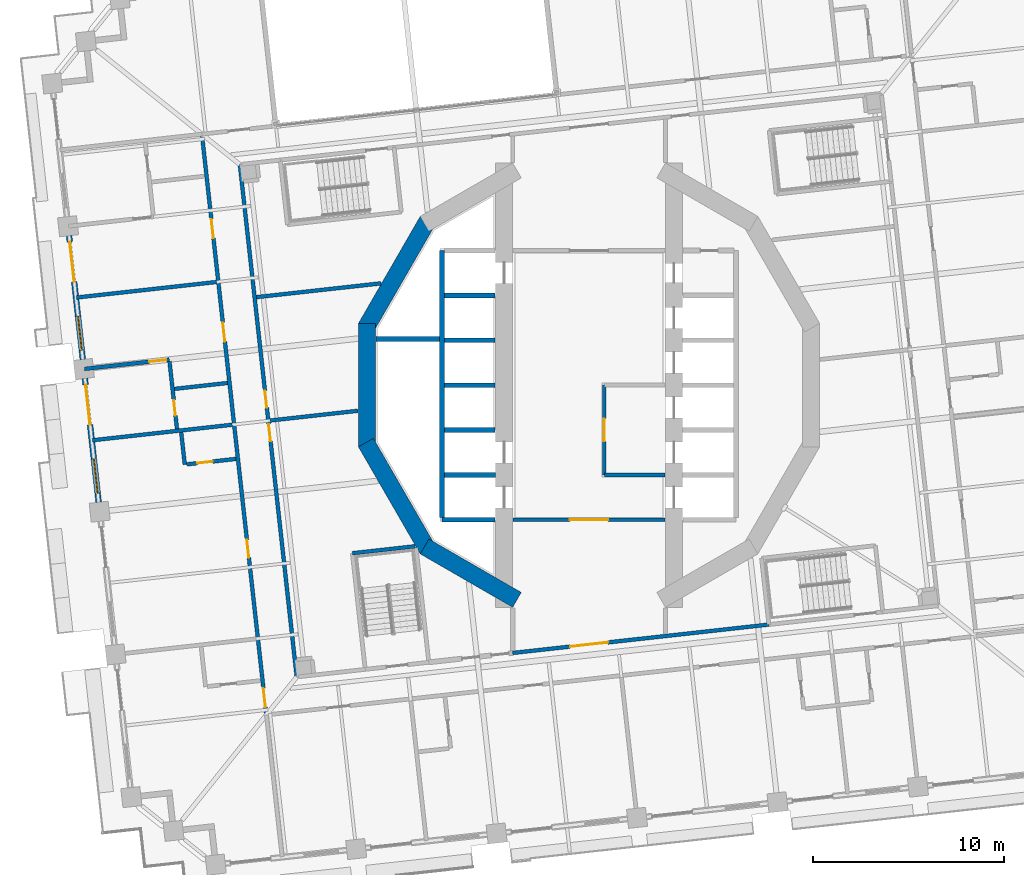
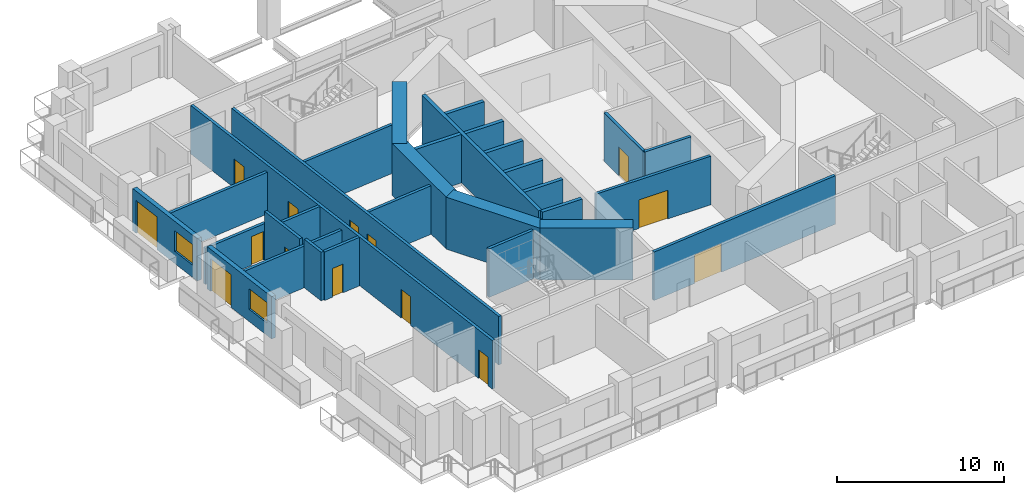
# One storey, part 8 of 21: 30 walls, 14 doors, 2 windows, 16 openings.
"""IFC4 building model written with IfcOpenShell, lengths in metres."""

from ifc_helpers import new_model, si_unit, direction, frame, frame_2d, origin, place, context, subcontext, project, spatial, rectangle, extrude, material, layer, layer_set, type_object, element, fill, save


model = new_model("IFC4")

# Units and contexts
model_context = context("Model", 3, precision=1e-05, world=origin(), true_north=direction((0.0, 1.0)))
body_context = subcontext(model_context, "Body", "Model", "MODEL_VIEW")
ifc_project = project(units=[si_unit("LENGTHUNIT", "METRE"), si_unit("AREAUNIT", "SQUARE_METRE"), si_unit("VOLUMEUNIT", "CUBIC_METRE"), si_unit("PLANEANGLEUNIT", "RADIAN"), si_unit("MASSUNIT", "GRAM", prefix="KILO")], contexts=[model_context])

# Site, building, storey
site_placement = place(None, origin())
site = spatial("IfcSite", under=ifc_project, at=site_placement, CompositionType="ELEMENT")
building_placement = place(site_placement, origin())
building = spatial("IfcBuilding", under=site, at=building_placement, Name="Cantera Rosa Tower", CompositionType="ELEMENT")
storey_placement = place(building_placement, frame((0.0, 0.0, 61.5)))
storey = spatial("IfcBuildingStorey", under=building, at=storey_placement, Name="L12", CompositionType="ELEMENT", Elevation=61.5)

# Wall, openings, doors
ifc_material_1 = material(Name="Gypsum board partition")
ifc_layer_1 = layer(ifc_material_1, 0.199951171875)
ifc_layer_set_1 = layer_set([ifc_layer_1], Name="CORRIDOR WALL 200 H3550")
wall_type_1 = type_object("IfcWallType", Name="CORRIDOR WALL 200 H3550", PredefinedType="PARTITIONING", material=ifc_layer_set_1)
wall_1_placement = place(storey_placement, frame((-20.2626953125, 13.04443359375, 0.0), z_axis=(0.0, 0.0, 1.0), x_axis=(0.110311163664, -0.993897100897, 0.0)))
wall_1 = element("IfcWall", 1, at=wall_1_placement, inside=storey, type_object=wall_type_1, Name="CORRIDOR WALL L12-008", PredefinedType="PARTITIONING", context=body_context, shape_type="SweptSolid", body=[
    extrude(rectangle(XDim=30.5, YDim=0.199951171875, at=frame_2d((15.25, 0.0))), origin(), (0.0, 0.0, 1.0), 3.550048828125),
])
opening_1_placement = place(wall_1_placement, frame((4.389892578125, 0.0, 0.0)))
opening_1 = element("IfcOpeningElement", 2, at=opening_1_placement, cuts=wall_1, Name="Opening L12-029", PredefinedType="OPENING", context=body_context, shape_type="SweptSolid", body=[
    extrude(rectangle(XDim=1.0, YDim=2.10009765625, at=frame_2d((0.5, 1.050048828125))), frame((0.0, 0.10986328125, 0.0), z_axis=(0.0, -1.0, 0.0), x_axis=(1.0, 0.0, 0.0)), (0.0, 0.0, 1.0), 0.219970703125),
])
opening_2_placement = place(wall_1_placement, frame((9.840087890625, 0.0, 0.0)))
opening_2 = element("IfcOpeningElement", 3, at=opening_2_placement, cuts=wall_1, Name="Opening L12-032", PredefinedType="OPENING", context=body_context, shape_type="SweptSolid", body=[
    extrude(rectangle(XDim=1.0, YDim=2.10009765625, at=frame_2d((0.5, 1.050048828125))), frame((0.0, 0.10986328125, 0.0), z_axis=(0.0, -1.0, 0.0), x_axis=(1.0, 0.0, 0.0)), (0.0, 0.0, 1.0), 0.219970703125),
])
opening_3_placement = place(wall_1_placement, frame((21.264892578125, 0.0, 0.0)))
opening_3 = element("IfcOpeningElement", 4, at=opening_3_placement, cuts=wall_1, Name="Opening L12-035", PredefinedType="OPENING", context=body_context, shape_type="SweptSolid", body=[
    extrude(rectangle(XDim=0.949951171875, YDim=2.10009765625, at=frame_2d((0.47509765625, 1.050048828125))), frame((0.0, 0.10986328125, 0.0), z_axis=(0.0, -1.0, 0.0), x_axis=(1.0, 0.0, 0.0)), (0.0, 0.0, 1.0), 0.219970703125),
])
opening_4_placement = place(wall_1_placement, frame((29.090087890625, 0.0, 0.0)))
opening_4 = element("IfcOpeningElement", 5, at=opening_4_placement, cuts=wall_1, Name="Opening L12-037", PredefinedType="OPENING", context=body_context, shape_type="SweptSolid", body=[
    extrude(rectangle(XDim=1.0, YDim=2.10009765625, at=frame_2d((0.5, 1.050048828125))), frame((0.0, 0.10986328125, 0.0), z_axis=(0.0, -1.0, 0.0), x_axis=(1.0, 0.0, 0.0)), (0.0, 0.0, 1.0), 0.219970703125),
])
ifc_material_2 = material(Name="Timber door leaf", Category="wood")
door_type_1 = type_object("IfcDoorType", Name="ENTRANCE DOOR 1000x2100", OperationType="NOTDEFINED", PredefinedType="DOOR", material=ifc_material_2)
door_1_placement = place(opening_1_placement, origin())
door_1 = element("IfcDoor", 6, at=door_1_placement, inside=storey, type_object=door_type_1, Name="DOOR L12-029", OperationType="NOTDEFINED", OverallHeight=2.10009765625, OverallWidth=1.0, PredefinedType="DOOR", context=body_context, shape_type="SweptSolid", body=[
    extrude(rectangle(XDim=1.0, YDim=2.10009765625, at=frame_2d((0.5, 1.050048828125))), frame((0.0, 0.02490234375, 0.0), z_axis=(0.0, -1.0, 0.0), x_axis=(1.0, 0.0, 0.0)), (0.0, 0.0, 1.0), 0.050048828125),
])
fill(opening_1, door_1)
door_2_placement = place(opening_2_placement, origin())
door_2 = element("IfcDoor", 7, at=door_2_placement, inside=storey, type_object=door_type_1, Name="DOOR L12-032", OperationType="NOTDEFINED", OverallHeight=2.10009765625, OverallWidth=1.0, PredefinedType="DOOR", context=body_context, shape_type="SweptSolid", body=[
    extrude(rectangle(XDim=1.0, YDim=2.10009765625, at=frame_2d((0.5, 1.050048828125))), frame((0.0, 0.02490234375, 0.0), z_axis=(0.0, -1.0, 0.0), x_axis=(1.0, 0.0, 0.0)), (0.0, 0.0, 1.0), 0.050048828125),
])
fill(opening_2, door_2)
door_3_placement = place(opening_4_placement, origin())
door_3 = element("IfcDoor", 8, at=door_3_placement, inside=storey, type_object=door_type_1, Name="DOOR L12-037", OperationType="NOTDEFINED", OverallHeight=2.10009765625, OverallWidth=1.0, PredefinedType="DOOR", context=body_context, shape_type="SweptSolid", body=[
    extrude(rectangle(XDim=1.0, YDim=2.10009765625, at=frame_2d((0.5, 1.050048828125))), frame((0.0, 0.02490234375, 0.0), z_axis=(0.0, -1.0, 0.0), x_axis=(1.0, 0.0, 0.0)), (0.0, 0.0, 1.0), 0.050048828125),
])
fill(opening_4, door_3)
ifc_material_3 = material(Name="Timber door leaf", Category="wood")
door_type_2 = type_object("IfcDoorType", Name="ROOM DOOR 950x2100", OperationType="NOTDEFINED", PredefinedType="DOOR", material=ifc_material_3)
door_4_placement = place(opening_3_placement, origin())
door_4 = element("IfcDoor", 9, at=door_4_placement, inside=storey, type_object=door_type_2, Name="DOOR L12-035", OperationType="NOTDEFINED", OverallHeight=2.10009765625, OverallWidth=0.949951171875, PredefinedType="DOOR", context=body_context, shape_type="SweptSolid", body=[
    extrude(rectangle(XDim=0.949951171875, YDim=2.10009765625, at=frame_2d((0.47509765625, 1.050048828125))), frame((0.0, 0.02490234375, 0.0), z_axis=(0.0, -1.0, 0.0), x_axis=(1.0, 0.0, 0.0)), (0.0, 0.0, 1.0), 0.050048828125),
])
fill(opening_3, door_4)

wall_2_placement = place(storey_placement, frame((-18.2861328125, 11.55322265625, 0.0), z_axis=(0.0, 0.0, 1.0), x_axis=(0.110315409641, -0.993896629633, 0.0)))
wall_2 = element("IfcWall", 10, at=wall_2_placement, inside=storey, type_object=wall_type_1, Name="CORRIDOR WALL L12-014", PredefinedType="PARTITIONING", context=body_context, shape_type="SweptSolid", body=[
    extrude(rectangle(XDim=27.0, YDim=0.199951171875, at=frame_2d((13.5, 0.0))), origin(), (0.0, 0.0, 1.0), 3.550048828125),
])
opening_5_placement = place(wall_2_placement, frame((11.91259765625, 0.0, 0.0)))
opening_5 = element("IfcOpeningElement", 11, at=opening_5_placement, cuts=wall_2, Name="Opening L12-008", PredefinedType="OPENING", context=body_context, shape_type="SweptSolid", body=[
    extrude(rectangle(XDim=0.89990234375, YDim=2.10009765625, at=frame_2d((0.449951171875, 1.050048828125))), frame((0.0, 0.10986328125, 0.0), z_axis=(0.0, -1.0, 0.0), x_axis=(1.0, 0.0, 0.0)), (0.0, 0.0, 1.0), 0.219970703125),
])
opening_6_placement = place(wall_2_placement, frame((13.679931640625, 0.0, 0.0)))
opening_6 = element("IfcOpeningElement", 12, at=opening_6_placement, cuts=wall_2, Name="Opening L12-009", PredefinedType="OPENING", context=body_context, shape_type="SweptSolid", body=[
    extrude(rectangle(XDim=0.89990234375, YDim=2.10009765625, at=frame_2d((0.449951171875, 1.050048828125))), frame((0.0, 0.10986328125, 0.0), z_axis=(0.0, -1.0, 0.0), x_axis=(1.0, 0.0, 0.0)), (0.0, 0.0, 1.0), 0.219970703125),
])
ifc_material_4 = material(Name="Timber door leaf", Category="wood")
door_type_3 = type_object("IfcDoorType", Name="SERVICE DOOR 900x2100", OperationType="NOTDEFINED", PredefinedType="DOOR", material=ifc_material_4)
door_5_placement = place(opening_5_placement, origin())
door_5 = element("IfcDoor", 13, at=door_5_placement, inside=storey, type_object=door_type_3, Name="DOOR L12-008", OperationType="NOTDEFINED", OverallHeight=2.10009765625, OverallWidth=0.89990234375, PredefinedType="DOOR", context=body_context, shape_type="SweptSolid", body=[
    extrude(rectangle(XDim=0.89990234375, YDim=2.10009765625, at=frame_2d((0.449951171875, 1.050048828125))), frame((0.0, 0.02490234375, 0.0), z_axis=(0.0, -1.0, 0.0), x_axis=(1.0, 0.0, 0.0)), (0.0, 0.0, 1.0), 0.050048828125),
])
fill(opening_5, door_5)
door_6_placement = place(opening_6_placement, origin())
door_6 = element("IfcDoor", 14, at=door_6_placement, inside=storey, type_object=door_type_3, Name="DOOR L12-009", OperationType="NOTDEFINED", OverallHeight=2.10009765625, OverallWidth=0.89990234375, PredefinedType="DOOR", context=body_context, shape_type="SweptSolid", body=[
    extrude(rectangle(XDim=0.89990234375, YDim=2.10009765625, at=frame_2d((0.449951171875, 1.050048828125))), frame((0.0, 0.02490234375, 0.0), z_axis=(0.0, -1.0, 0.0), x_axis=(1.0, 0.0, 0.0)), (0.0, 0.0, 1.0), 0.050048828125),
])
fill(opening_6, door_6)

# Wall, opening, door
wall_3_placement = place(storey_placement, frame((-4.0, -14.02685546875, 0.0), z_axis=(0.0, 0.0, 1.0), x_axis=(0.993897619869, 0.110306487659, 0.0)))
wall_3 = element("IfcWall", 15, at=wall_3_placement, inside=storey, type_object=wall_type_1, Name="CORRIDOR WALL L12-049", PredefinedType="PARTITIONING", context=body_context, shape_type="SweptSolid", body=[
    extrude(rectangle(XDim=13.5009765625, YDim=0.199951171875, at=frame_2d((6.75048828125, 0.0))), origin(), (0.0, 0.0, 1.0), 3.550048828125),
])
opening_7_placement = place(wall_3_placement, frame((3.024658203125, 0.0, 0.0)))
opening_7 = element("IfcOpeningElement", 16, at=opening_7_placement, cuts=wall_3, Name="Opening L12-014", PredefinedType="OPENING", context=body_context, shape_type="SweptSolid", body=[
    extrude(rectangle(XDim=2.0, YDim=2.10009765625, at=frame_2d((1.0, 1.050048828125))), frame((0.0, 0.10986328125, 0.0), z_axis=(0.0, -1.0, 0.0), x_axis=(1.0, 0.0, 0.0)), (0.0, 0.0, 1.0), 0.219970703125),
])
ifc_material_5 = material(Name="Steel S355J2 (EN 10025-2)", Category="steel")
door_type_4 = type_object("IfcDoorType", Name="LOBBY SCREEN DOOR 2000x2100", OperationType="NOTDEFINED", PredefinedType="DOOR", material=ifc_material_5)
door_7_placement = place(opening_7_placement, origin())
door_7 = element("IfcDoor", 17, at=door_7_placement, inside=storey, type_object=door_type_4, Name="DOOR L12-014", OperationType="NOTDEFINED", OverallHeight=2.10009765625, OverallWidth=2.0, PredefinedType="DOOR", context=body_context, shape_type="SweptSolid", body=[
    extrude(rectangle(XDim=2.0, YDim=2.10009765625, at=frame_2d((1.0, 1.050048828125))), frame((0.0, 0.02490234375, 0.0), z_axis=(0.0, -1.0, 0.0), x_axis=(1.0, 0.0, 0.0)), (0.0, 0.0, 1.0), 0.050048828125),
])
fill(opening_7, door_7)

wall_4_placement = place(storey_placement, frame((3.969970703125, -7.050048828125, 0.0), z_axis=(0.0, 0.0, 1.0), x_axis=(-1.0, 0.0, 0.0)))
wall_4 = element("IfcWall", 18, at=wall_4_placement, inside=storey, type_object=wall_type_1, Name="CORRIDOR WALL L12-057", PredefinedType="PARTITIONING", context=body_context, shape_type="SweptSolid", body=[
    extrude(rectangle(XDim=7.93994140625, YDim=0.199951171875, at=frame_2d((3.969970703125, 0.0))), origin(), (0.0, 0.0, 1.0), 3.550048828125),
])
opening_8_placement = place(wall_4_placement, frame((2.969970703125, 0.0, 0.0)))
opening_8 = element("IfcOpeningElement", 19, at=opening_8_placement, cuts=wall_4, Name="Opening L12-015", PredefinedType="OPENING", context=body_context, shape_type="SweptSolid", body=[
    extrude(rectangle(XDim=2.0, YDim=2.10009765625, at=frame_2d((1.0, 1.050048828125))), frame((0.0, 0.10986328125, 0.0), z_axis=(0.0, -1.0, 0.0), x_axis=(1.0, 0.0, 0.0)), (0.0, 0.0, 1.0), 0.219970703125),
])
door_8_placement = place(opening_8_placement, origin())
door_8 = element("IfcDoor", 20, at=door_8_placement, inside=storey, type_object=door_type_4, Name="DOOR L12-015", OperationType="NOTDEFINED", OverallHeight=2.10009765625, OverallWidth=2.0, PredefinedType="DOOR", context=body_context, shape_type="SweptSolid", body=[
    extrude(rectangle(XDim=2.0, YDim=2.10009765625, at=frame_2d((1.0, 1.050048828125))), frame((0.0, 0.02490234375, 0.0), z_axis=(0.0, -1.0, 0.0), x_axis=(1.0, 0.0, 0.0)), (0.0, 0.0, 1.0), 0.050048828125),
])
fill(opening_8, door_8)

# Wall, openings, window, door
ifc_material_6 = material(Name="Hollow clay masonry with cantera stone cladding", Category="masonry")
ifc_layer_2 = layer(ifc_material_6, 0.300048828125)
ifc_layer_set_2 = layer_set([ifc_layer_2], Name="EW-LOGGIA 300 H3090")
wall_type_2 = type_object("IfcWallType", Name="EW-LOGGIA 300 H3090", PredefinedType="SOLIDWALL", material=ifc_layer_set_2)
wall_5_placement = place(storey_placement, frame((-27.229248046875, 7.823974609375, 0.0), z_axis=(0.0, 0.0, 1.0), x_axis=(0.110312341265, -0.993896970196, 0.0)))
wall_5 = element("IfcWall", 21, at=wall_5_placement, inside=storey, type_object=wall_type_2, Name="EN-L12-W17", PredefinedType="SOLIDWALL", context=body_context, shape_type="SweptSolid", body=[
    extrude(rectangle(XDim=6.52001953125, YDim=0.300048828125, at=frame_2d((3.260009765625, 0.0))), origin(), (0.0, 0.0, 1.0), 3.090087890625),
])
opening_9_placement = place(wall_5_placement, frame((0.330078125, 0.0, 0.0)))
opening_9 = element("IfcOpeningElement", 22, at=opening_9_placement, cuts=wall_5, Name="Opening L12-TD21", PredefinedType="OPENING", context=body_context, shape_type="SweptSolid", body=[
    extrude(rectangle(XDim=2.10009765625, YDim=2.39990234375, at=frame_2d((1.050048828125, 1.199951171875))), frame((0.0, 0.159912109375, 0.0), z_axis=(0.0, -1.0, 0.0), x_axis=(1.0, 0.0, 0.0)), (0.0, 0.0, 1.0), 0.320068359375),
])
opening_10_placement = place(wall_5_placement, frame((4.239990234375, 0.0, 0.89990234375)))
opening_10 = element("IfcOpeningElement", 23, at=opening_10_placement, cuts=wall_5, Name="Opening L12-W22", PredefinedType="OPENING", context=body_context, shape_type="SweptSolid", body=[
    extrude(rectangle(XDim=1.800048828125, YDim=1.5, at=frame_2d((0.89990234375, 0.75))), frame((0.0, 0.159912109375, 0.0), z_axis=(0.0, -1.0, 0.0), x_axis=(1.0, 0.0, 0.0)), (0.0, 0.0, 1.0), 0.320068359375),
])
ifc_material_7 = material(Name="Aluminium frame with clear glass", Category="aluminium")
window_type = type_object("IfcWindowType", Name="Hotel room window 1800x1500", PartitioningType="DOUBLE_PANEL_VERTICAL", PredefinedType="WINDOW", material=ifc_material_7)
window_1_placement = place(opening_10_placement, origin())
window_1 = element("IfcWindow", 24, at=window_1_placement, inside=storey, type_object=window_type, Name="WINDOW L12-W22", OverallHeight=1.5, OverallWidth=1.800048828125, PartitioningType="SINGLE_PANEL", PredefinedType="WINDOW", context=body_context, shape_type="SweptSolid", body=[
    extrude(rectangle(XDim=1.800048828125, YDim=1.5, at=frame_2d((0.89990234375, 0.75))), frame((0.0, 0.030029296875, 0.0), z_axis=(0.0, -1.0, 0.0), x_axis=(1.0, 0.0, 0.0)), (0.0, 0.0, 1.0), 0.06005859375),
])
fill(opening_10, window_1)
ifc_material_8 = material(Name="Aluminium frame with clear glass", Category="aluminium")
door_type_5 = type_object("IfcDoorType", Name="TD-H 2100x2400", OperationType="NOTDEFINED", PredefinedType="DOOR", material=ifc_material_8)
door_9_placement = place(opening_9_placement, origin())
door_9 = element("IfcDoor", 25, at=door_9_placement, inside=storey, type_object=door_type_5, Name="LOGGIA DOOR L12-TD21", OperationType="SLIDING_TO_LEFT", OverallHeight=2.39990234375, OverallWidth=2.10009765625, PredefinedType="DOOR", context=body_context, shape_type="SweptSolid", body=[
    extrude(rectangle(XDim=2.10009765625, YDim=2.39990234375, at=frame_2d((1.050048828125, 1.199951171875))), frame((0.0, 0.02490234375, 0.0), z_axis=(0.0, -1.0, 0.0), x_axis=(1.0, 0.0, 0.0)), (0.0, 0.0, 1.0), 0.050048828125),
])
fill(opening_9, door_9)

wall_6_placement = place(storey_placement, frame((-26.399658203125, 0.349853515625, 0.0), z_axis=(0.0, 0.0, 1.0), x_axis=(0.110312341265, -0.993896970196, 0.0)))
wall_6 = element("IfcWall", 26, at=wall_6_placement, inside=storey, type_object=wall_type_2, Name="EN-L12-W18", PredefinedType="SOLIDWALL", context=body_context, shape_type="SweptSolid", body=[
    extrude(rectangle(XDim=6.52001953125, YDim=0.300048828125, at=frame_2d((3.260009765625, 0.0))), origin(), (0.0, 0.0, 1.0), 3.090087890625),
])
opening_11_placement = place(wall_6_placement, frame((0.330078125, 0.0, 0.0)))
opening_11 = element("IfcOpeningElement", 27, at=opening_11_placement, cuts=wall_6, Name="Opening L12-TD23", PredefinedType="OPENING", context=body_context, shape_type="SweptSolid", body=[
    extrude(rectangle(XDim=2.10009765625, YDim=2.39990234375, at=frame_2d((1.050048828125, 1.199951171875))), frame((0.0, 0.159912109375, 0.0), z_axis=(0.0, -1.0, 0.0), x_axis=(1.0, 0.0, 0.0)), (0.0, 0.0, 1.0), 0.320068359375),
])
opening_12_placement = place(wall_6_placement, frame((4.239990234375, 0.0, 0.89990234375)))
opening_12 = element("IfcOpeningElement", 28, at=opening_12_placement, cuts=wall_6, Name="Opening L12-W24", PredefinedType="OPENING", context=body_context, shape_type="SweptSolid", body=[
    extrude(rectangle(XDim=1.800048828125, YDim=1.5, at=frame_2d((0.89990234375, 0.75))), frame((0.0, 0.159912109375, 0.0), z_axis=(0.0, -1.0, 0.0), x_axis=(1.0, 0.0, 0.0)), (0.0, 0.0, 1.0), 0.320068359375),
])
window_2_placement = place(opening_12_placement, origin())
window_2 = element("IfcWindow", 29, at=window_2_placement, inside=storey, type_object=window_type, Name="WINDOW L12-W24", OverallHeight=1.5, OverallWidth=1.800048828125, PartitioningType="SINGLE_PANEL", PredefinedType="WINDOW", context=body_context, shape_type="SweptSolid", body=[
    extrude(rectangle(XDim=1.800048828125, YDim=1.5, at=frame_2d((0.89990234375, 0.75))), frame((0.0, 0.030029296875, 0.0), z_axis=(0.0, -1.0, 0.0), x_axis=(1.0, 0.0, 0.0)), (0.0, 0.0, 1.0), 0.06005859375),
])
fill(opening_12, window_2)
door_10_placement = place(opening_11_placement, origin())
door_10 = element("IfcDoor", 30, at=door_10_placement, inside=storey, type_object=door_type_5, Name="LOGGIA DOOR L12-TD23", OperationType="SLIDING_TO_LEFT", OverallHeight=2.39990234375, OverallWidth=2.10009765625, PredefinedType="DOOR", context=body_context, shape_type="SweptSolid", body=[
    extrude(rectangle(XDim=2.10009765625, YDim=2.39990234375, at=frame_2d((1.050048828125, 1.199951171875))), frame((0.0, 0.02490234375, 0.0), z_axis=(0.0, -1.0, 0.0), x_axis=(1.0, 0.0, 0.0)), (0.0, 0.0, 1.0), 0.050048828125),
])
fill(opening_11, door_10)

# Wall, opening, door
ifc_material_9 = material(Name="Gypsum board partition")
ifc_layer_3 = layer(ifc_material_9, 0.199951171875)
ifc_layer_set_3 = layer_set([ifc_layer_3], Name="PARTITION 200 H2650")
wall_type_3 = type_object("IfcWallType", Name="PARTITION 200 H2650", PredefinedType="PARTITIONING", material=ifc_layer_set_3)
wall_7_placement = place(storey_placement, frame((-26.425048828125, 0.85009765625, 0.0), z_axis=(0.0, 0.0, 1.0), x_axis=(0.993895052822, 0.11032961514, 0.0)))
wall_7 = element("IfcWall", 31, at=wall_7_placement, inside=storey, type_object=wall_type_3, Name="PARTITION L12-001", PredefinedType="PARTITIONING", context=body_context, shape_type="SweptSolid", body=[
    extrude(rectangle(XDim=4.469970703125, YDim=0.199951171875, at=frame_2d((2.23486328125, 0.0))), origin(), (0.0, 0.0, 1.0), 2.64990234375),
])
opening_13_placement = place(wall_7_placement, frame((3.419921875, 0.0, 0.0)))
opening_13 = element("IfcOpeningElement", 32, at=opening_13_placement, cuts=wall_7, Name="Opening L12-033", PredefinedType="OPENING", context=body_context, shape_type="SweptSolid", body=[
    extrude(rectangle(XDim=0.89990234375, YDim=2.10009765625, at=frame_2d((0.449951171875, 1.050048828125))), frame((0.0, 0.10986328125, 0.0), z_axis=(0.0, -1.0, 0.0), x_axis=(1.0, 0.0, 0.0)), (0.0, 0.0, 1.0), 0.219970703125),
])
ifc_material_10 = material(Name="Timber door leaf", Category="wood")
door_type_6 = type_object("IfcDoorType", Name="ROOM DOOR 900x2100", OperationType="NOTDEFINED", PredefinedType="DOOR", material=ifc_material_10)
door_11_placement = place(opening_13_placement, origin())
door_11 = element("IfcDoor", 33, at=door_11_placement, inside=storey, type_object=door_type_6, Name="DOOR L12-033", OperationType="NOTDEFINED", OverallHeight=2.10009765625, OverallWidth=0.89990234375, PredefinedType="DOOR", context=body_context, shape_type="SweptSolid", body=[
    extrude(rectangle(XDim=0.89990234375, YDim=2.10009765625, at=frame_2d((0.449951171875, 1.050048828125))), frame((0.0, 0.02490234375, 0.0), z_axis=(0.0, -1.0, 0.0), x_axis=(1.0, 0.0, 0.0)), (0.0, 0.0, 1.0), 0.050048828125),
])
fill(opening_13, door_11)

ifc_material_11 = material(Name="Gypsum board partition")
ifc_layer_4 = layer(ifc_material_11, 0.199951171875)
ifc_layer_set_4 = layer_set([ifc_layer_4], Name="PARTITION 200 H3550")
wall_type_4 = type_object("IfcWallType", Name="PARTITION 200 H3550", PredefinedType="PARTITIONING", material=ifc_layer_set_4)
wall_8_placement = place(storey_placement, frame((-21.97119140625, 1.243896484375, 0.0), z_axis=(0.0, 0.0, 1.0), x_axis=(0.110273460699, -0.993901284769, 0.0)))
wall_8 = element("IfcWall", 34, at=wall_8_placement, inside=storey, type_object=wall_type_4, Name="PARTITION L12-004", PredefinedType="PARTITIONING", context=body_context, shape_type="SweptSolid", body=[
    extrude(rectangle(XDim=3.56005859375, YDim=0.199951171875, at=frame_2d((1.780029296875, 0.0))), origin(), (0.0, 0.0, 1.0), 3.550048828125),
])
opening_14_placement = place(wall_8_placement, frame((2.050048828125, 0.0, 0.0)))
opening_14 = element("IfcOpeningElement", 35, at=opening_14_placement, cuts=wall_8, Name="Opening L12-034", PredefinedType="OPENING", context=body_context, shape_type="SweptSolid", body=[
    extrude(rectangle(XDim=0.800048828125, YDim=2.10009765625, at=frame_2d((0.39990234375, 1.050048828125))), frame((0.0, 0.10986328125, 0.0), z_axis=(0.0, -1.0, 0.0), x_axis=(1.0, 0.0, 0.0)), (0.0, 0.0, 1.0), 0.219970703125),
])
ifc_material_12 = material(Name="Timber door leaf", Category="wood")
door_type_7 = type_object("IfcDoorType", Name="BATHROOM DOOR 800x2100", OperationType="NOTDEFINED", PredefinedType="DOOR", material=ifc_material_12)
door_12_placement = place(opening_14_placement, origin())
door_12 = element("IfcDoor", 36, at=door_12_placement, inside=storey, type_object=door_type_7, Name="DOOR L12-034", OperationType="NOTDEFINED", OverallHeight=2.10009765625, OverallWidth=0.800048828125, PredefinedType="DOOR", context=body_context, shape_type="SweptSolid", body=[
    extrude(rectangle(XDim=0.800048828125, YDim=2.10009765625, at=frame_2d((0.39990234375, 1.050048828125))), frame((0.0, 0.02490234375, 0.0), z_axis=(0.0, -1.0, 0.0), x_axis=(1.0, 0.0, 0.0)), (0.0, 0.0, 1.0), 0.050048828125),
])
fill(opening_14, door_12)

# Walls
wall_9_placement = place(storey_placement, frame((-21.7109375, -0.1962890625, 0.0), z_axis=(0.0, 0.0, 1.0), x_axis=(0.99388905004, 0.110383677283, 0.0)))
element("IfcWall", 37, at=wall_9_placement, inside=storey, type_object=wall_type_4, Name="PARTITION L12-005", PredefinedType="PARTITIONING", context=body_context, shape_type="SweptSolid", body=[
    extrude(rectangle(XDim=2.800048828125, YDim=0.199951171875, at=frame_2d((1.39990234375, 0.0))), origin(), (0.0, 0.0, 1.0), 3.550048828125),
])
wall_10_placement = place(storey_placement, frame((-21.170166015625, -4.16064453125, 0.0), z_axis=(0.0, 0.0, 1.0), x_axis=(-0.110447289733, 0.99388198303, 0.0)))
element("IfcWall", 38, at=wall_10_placement, inside=storey, type_object=wall_type_4, Name="PARTITION L12-006", PredefinedType="PARTITIONING", context=body_context, shape_type="SweptSolid", body=[
    extrude(rectangle(XDim=1.699951171875, YDim=0.199951171875, at=frame_2d((0.85009765625, 0.0))), origin(), (0.0, 0.0, 1.0), 3.550048828125),
])

# Wall, opening, door
wall_11_placement = place(storey_placement, frame((-18.48681640625, -3.86279296875, 0.0), z_axis=(0.0, 0.0, 1.0), x_axis=(-0.993894037028, -0.110338765449, 0.0)))
wall_11 = element("IfcWall", 39, at=wall_11_placement, inside=storey, type_object=wall_type_4, Name="PARTITION L12-013", PredefinedType="PARTITIONING", context=body_context, shape_type="SweptSolid", body=[
    extrude(rectangle(XDim=2.599853515625, YDim=0.199951171875, at=frame_2d((1.2998046875, 0.0))), origin(), (0.0, 0.0, 1.0), 3.550048828125),
])
opening_15_placement = place(wall_11_placement, frame((1.236083984375, 0.0, 0.0)))
opening_15 = element("IfcOpeningElement", 40, at=opening_15_placement, cuts=wall_11, Name="Opening L12-036", PredefinedType="OPENING", context=body_context, shape_type="SweptSolid", body=[
    extrude(rectangle(XDim=0.800048828125, YDim=2.10009765625, at=frame_2d((0.39990234375, 1.050048828125))), frame((0.0, 0.10986328125, 0.0), z_axis=(0.0, -1.0, 0.0), x_axis=(1.0, 0.0, 0.0)), (0.0, 0.0, 1.0), 0.219970703125),
])
door_13_placement = place(opening_15_placement, origin())
door_13 = element("IfcDoor", 41, at=door_13_placement, inside=storey, type_object=door_type_7, Name="DOOR L12-036", OperationType="NOTDEFINED", OverallHeight=2.10009765625, OverallWidth=0.800048828125, PredefinedType="DOOR", context=body_context, shape_type="SweptSolid", body=[
    extrude(rectangle(XDim=0.800048828125, YDim=2.10009765625, at=frame_2d((0.39990234375, 1.050048828125))), frame((0.0, 0.02490234375, 0.0), z_axis=(0.0, -1.0, 0.0), x_axis=(1.0, 0.0, 0.0)), (0.0, 0.0, 1.0), 0.050048828125),
])
fill(opening_15, door_13)

# Walls
wall_12_placement = place(storey_placement, frame((-12.10400390625, -1.343505859375, 0.0), z_axis=(0.0, 0.0, 1.0), x_axis=(-0.993898542439, -0.11029817468, 0.0)))
element("IfcWall", 42, at=wall_12_placement, inside=storey, type_object=wall_type_4, Name="PARTITION L12-029", PredefinedType="PARTITIONING", context=body_context, shape_type="SweptSolid", body=[
    extrude(rectangle(XDim=4.621826171875, YDim=0.199951171875, at=frame_2d((2.31103515625, 0.0))), origin(), (0.0, 0.0, 1.0), 3.550048828125),
])
wall_13_placement = place(storey_placement, frame((-10.899169921875, 5.330078125, 0.0), z_axis=(0.0, 0.0, 1.0), x_axis=(-0.993900981435, -0.110276194628, 0.0)))
element("IfcWall", 43, at=wall_13_placement, inside=storey, type_object=wall_type_4, Name="PARTITION L12-032", PredefinedType="PARTITIONING", context=body_context, shape_type="SweptSolid", body=[
    extrude(rectangle(XDim=6.555419921875, YDim=0.199951171875, at=frame_2d((3.27783203125, 0.0))), origin(), (0.0, 0.0, 1.0), 3.550048828125),
])
ifc_material_13 = material(Name="Gypsum board partition")
ifc_layer_5 = layer(ifc_material_13, 0.199951171875)
ifc_layer_set_5 = layer_set([ifc_layer_5], Name="PARTY WALL 200 H3050")
wall_type_5 = type_object("IfcWallType", Name="PARTY WALL 200 H3050", PredefinedType="PARTITIONING", material=ifc_layer_set_5)
for number, where, z_axis, x_axis, name in (
    (44, (-19.514892578125, 5.400146484375, 0.0), (0.0, 0.0, 1.0), (-0.993897058864, -0.11031154238, 0.0), "PARTY WALL L12-011"),
    (45, (-18.685302734375, -2.073974609375, 0.0), (0.0, 0.0, 1.0), (-0.993897058864, -0.11031154238, 0.0), "PARTY WALL L12-012"),
):
    element("IfcWall", number, at=place(storey_placement, frame(where, z_axis=z_axis, x_axis=x_axis)), inside=storey, type_object=wall_type_5, Name=name, PredefinedType="PARTITIONING", context=body_context, shape_type="SweptSolid", body=[
        extrude(rectangle(XDim=7.369873046875, YDim=0.199951171875, at=frame_2d((3.68505859375, 0.0))), origin(), (0.0, 0.0, 1.0), 3.050048828125),
    ])
ifc_material_14 = material(Name="Concrete C70/85", Category="concrete")
ifc_layer_6 = layer(ifc_material_14, 0.89990234375)
ifc_layer_set_6 = layer_set([ifc_layer_6], Name="RC CORE WALL 900 C70/85")
wall_type_6 = type_object("IfcWallType", Name="RC CORE WALL 900 C70/85", PredefinedType="SHEAR", material=ifc_layer_set_6)
wall_14_placement = place(storey_placement, frame((-3.77490234375, -11.242919921875, 0.0), z_axis=(0.0, 0.0, 1.0), x_axis=(-0.866026961591, 0.49999730179, 0.0)))
element("IfcWall", 46, at=wall_14_placement, inside=storey, type_object=wall_type_6, Name="CW-W1 L12", PredefinedType="SHEAR", context=body_context, shape_type="SweptSolid", body=[
    extrude(rectangle(XDim=5.58740234375, YDim=0.89990234375, at=frame_2d((2.793701171875, 0.0))), origin(), (0.0, 0.0, 1.0), 3.800048828125),
])
wall_15_placement = place(storey_placement, frame((-8.44921875, -8.61376953125, 0.0), z_axis=(0.0, 0.0, 1.0), x_axis=(-0.499990282633, 0.866031014036, 0.0)))
element("IfcWall", 47, at=wall_15_placement, inside=storey, type_object=wall_type_6, Name="CW-W2 L12", PredefinedType="SHEAR", context=body_context, shape_type="SweptSolid", body=[
    extrude(rectangle(XDim=6.470458984375, YDim=0.89990234375, at=frame_2d((3.2353515625, 0.0))), origin(), (0.0, 0.0, 1.0), 3.800048828125),
])
wall_16_placement = place(storey_placement, frame((-11.6240234375, -3.2353515625, 0.0), z_axis=(0.0, 0.0, 1.0), x_axis=(0.0, 1.0, 0.0)))
element("IfcWall", 48, at=wall_16_placement, inside=storey, type_object=wall_type_6, Name="CW-W3 L12", PredefinedType="SHEAR", context=body_context, shape_type="SweptSolid", body=[
    extrude(rectangle(XDim=6.470703125, YDim=0.89990234375, at=frame_2d((3.2353515625, 0.0))), origin(), (0.0, 0.0, 1.0), 3.800048828125),
])
wall_17_placement = place(storey_placement, frame((-11.684326171875, 3.01025390625, 0.0), z_axis=(0.0, 0.0, 1.0), x_axis=(0.499990282633, 0.866031014036, 0.0)))
element("IfcWall", 49, at=wall_17_placement, inside=storey, type_object=wall_type_6, Name="CW-W4 L12", PredefinedType="SHEAR", context=body_context, shape_type="SweptSolid", body=[
    extrude(rectangle(XDim=6.470458984375, YDim=0.89990234375, at=frame_2d((3.2353515625, 0.0))), origin(), (0.0, 0.0, 1.0), 3.800048828125),
])
ifc_material_15 = material(Name="Masonry blockwork", Category="masonry")
ifc_layer_7 = layer(ifc_material_15, 0.25)
ifc_layer_set_7 = layer_set([ifc_layer_7], Name="SHAFT WALL 250 H3550")
wall_type_7 = type_object("IfcWallType", Name="SHAFT WALL 250 H3550", PredefinedType="SOLIDWALL", material=ifc_layer_set_7)
wall_18_placement = place(storey_placement, frame((-11.14404296875, 2.417724609375, 0.0), z_axis=(0.0, 0.0, 1.0), x_axis=(1.0, 0.0, 0.0)))
element("IfcWall", 50, at=wall_18_placement, inside=storey, type_object=wall_type_7, Name="SHAFT WALL L12-031", PredefinedType="SOLIDWALL", context=body_context, shape_type="SweptSolid", body=[
    extrude(rectangle(XDim=3.319091796875, YDim=0.25, at=frame_2d((1.65966796875, 0.0))), origin(), (0.0, 0.0, 1.0), 3.550048828125),
])
wall_19_placement = place(storey_placement, frame((-7.699951171875, -7.050048828125, 0.0), z_axis=(0.0, 0.0, 1.0), x_axis=(1.0, 0.0, 0.0)))
element("IfcWall", 51, at=wall_19_placement, inside=storey, type_object=wall_type_7, Name="SHAFT WALL L12-039", PredefinedType="SOLIDWALL", context=body_context, shape_type="SweptSolid", body=[
    extrude(rectangle(XDim=2.77001953125, YDim=0.25, at=frame_2d((1.385009765625, 0.0))), origin(), (0.0, 0.0, 1.0), 3.550048828125),
])
wall_20_placement = place(storey_placement, frame((-7.574951171875, -4.699951171875, 0.0), z_axis=(0.0, 0.0, 1.0), x_axis=(1.0, 0.0, 0.0)))
element("IfcWall", 52, at=wall_20_placement, inside=storey, type_object=wall_type_7, Name="SHAFT WALL L12-040", PredefinedType="SOLIDWALL", context=body_context, shape_type="SweptSolid", body=[
    extrude(rectangle(XDim=2.675048828125, YDim=0.25, at=frame_2d((1.33740234375, 0.0))), origin(), (0.0, 0.0, 1.0), 3.550048828125),
])
for number, where, z_axis, x_axis, name in (
    (53, (-7.574951171875, -2.35009765625, 0.0), (0.0, 0.0, 1.0), (1.0, 0.0, 0.0), "SHAFT WALL L12-041"),
    (54, (-7.574951171875, 0.0, 0.0), (0.0, 0.0, 1.0), (1.0, 0.0, 0.0), "SHAFT WALL L12-042"),
    (55, (-7.574951171875, 2.35009765625, 0.0), (0.0, 0.0, 1.0), (1.0, 0.0, 0.0), "SHAFT WALL L12-043"),
    (56, (-7.574951171875, 4.699951171875, 0.0), (0.0, 0.0, 1.0), (1.0, 0.0, 0.0), "SHAFT WALL L12-044"),
):
    element("IfcWall", number, at=place(storey_placement, frame(where, z_axis=z_axis, x_axis=x_axis)), inside=storey, type_object=wall_type_7, Name=name, PredefinedType="SOLIDWALL", context=body_context, shape_type="SweptSolid", body=[
        extrude(rectangle(XDim=2.64501953125, YDim=0.25, at=frame_2d((1.322509765625, 0.0))), origin(), (0.0, 0.0, 1.0), 3.550048828125),
    ])
wall_21_placement = place(storey_placement, frame((-7.699951171875, 7.050048828125, 0.0), z_axis=(0.0, 0.0, 1.0), x_axis=(0.0, -1.0, 0.0)))
element("IfcWall", 57, at=wall_21_placement, inside=storey, type_object=wall_type_7, Name="SHAFT WALL L12-045", PredefinedType="SOLIDWALL", context=body_context, shape_type="SweptSolid", body=[
    extrude(rectangle(XDim=13.97998046875, YDim=0.25, at=frame_2d((6.989990234375, 0.0))), origin(), (0.0, 0.0, 1.0), 3.550048828125),
])
ifc_material_16 = material(Name="Concrete C50/60", Category="concrete")
ifc_layer_8 = layer(ifc_material_16, 0.199951171875)
ifc_layer_set_8 = layer_set([ifc_layer_8], Name="STAIR WALL 200 H3550")
wall_type_8 = type_object("IfcWallType", Name="STAIR WALL 200 H3550", PredefinedType="SOLIDWALL", material=ifc_layer_set_8)
wall_22_placement = place(storey_placement, frame((-9.10498046875, -8.437744140625, 0.0), z_axis=(0.0, 0.0, 1.0), x_axis=(-0.993897215684, -0.110310129436, 0.0)))
element("IfcWall", 58, at=wall_22_placement, inside=storey, type_object=wall_type_8, Name="STAIR WALL L12-036", PredefinedType="SOLIDWALL", context=body_context, shape_type="SweptSolid", body=[
    extrude(rectangle(XDim=3.31103515625, YDim=0.199951171875, at=frame_2d((1.655517578125, 0.0))), origin(), (0.0, 0.0, 1.0), 3.550048828125),
])

# Wall, opening, door
wall_23_placement = place(storey_placement, frame((0.800048828125, -4.699951171875, 0.0), z_axis=(0.0, 0.0, 1.0), x_axis=(0.0, 1.0, 0.0)))
wall_23 = element("IfcWall", 59, at=wall_23_placement, inside=storey, type_object=wall_type_8, Name="STAIR WALL L12-054", PredefinedType="SOLIDWALL", context=body_context, shape_type="SweptSolid", body=[
    extrude(rectangle(XDim=4.699951171875, YDim=0.199951171875, at=frame_2d((2.35009765625, 0.0))), origin(), (0.0, 0.0, 1.0), 3.550048828125),
])
opening_16_placement = place(wall_23_placement, frame((1.75, 0.0, 0.0)))
opening_16 = element("IfcOpeningElement", 60, at=opening_16_placement, cuts=wall_23, Name="Opening L12-016", PredefinedType="OPENING", context=body_context, shape_type="SweptSolid", body=[
    extrude(rectangle(XDim=1.199951171875, YDim=2.10009765625, at=frame_2d((0.60009765625, 1.050048828125))), frame((0.0, 0.10986328125, 0.0), z_axis=(0.0, -1.0, 0.0), x_axis=(1.0, 0.0, 0.0)), (0.0, 0.0, 1.0), 0.219970703125),
])
ifc_material_17 = material(Name="Steel S355J2 (EN 10025-2)", Category="steel")
door_type_8 = type_object("IfcDoorType", Name="FIRE DOOR 1200x2100", OperationType="NOTDEFINED", PredefinedType="DOOR", material=ifc_material_17)
door_14_placement = place(opening_16_placement, origin())
door_14 = element("IfcDoor", 61, at=door_14_placement, inside=storey, type_object=door_type_8, Name="DOOR L12-016", OperationType="NOTDEFINED", OverallHeight=2.10009765625, OverallWidth=1.199951171875, PredefinedType="DOOR", context=body_context, shape_type="SweptSolid", body=[
    extrude(rectangle(XDim=1.199951171875, YDim=2.10009765625, at=frame_2d((0.60009765625, 1.050048828125))), frame((0.0, 0.02490234375, 0.0), z_axis=(0.0, -1.0, 0.0), x_axis=(1.0, 0.0, 0.0)), (0.0, 0.0, 1.0), 0.050048828125),
])
fill(opening_16, door_14)

# Wall
wall_24_placement = place(storey_placement, frame((3.969970703125, -4.699951171875, 0.0), z_axis=(0.0, 0.0, 1.0), x_axis=(-1.0, 0.0, 0.0)))
element("IfcWall", 62, at=wall_24_placement, inside=storey, type_object=wall_type_8, Name="STAIR WALL L12-058", PredefinedType="SOLIDWALL", context=body_context, shape_type="SweptSolid", body=[
    extrude(rectangle(XDim=3.169921875, YDim=0.199951171875, at=frame_2d((1.5849609375, 0.0))), origin(), (0.0, 0.0, 1.0), 3.550048828125),
])

save(model, "model.ifc")
